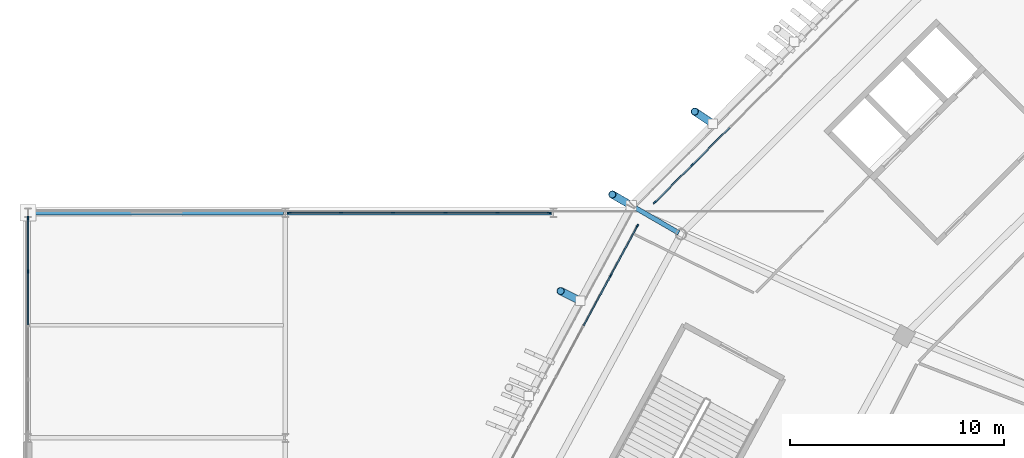
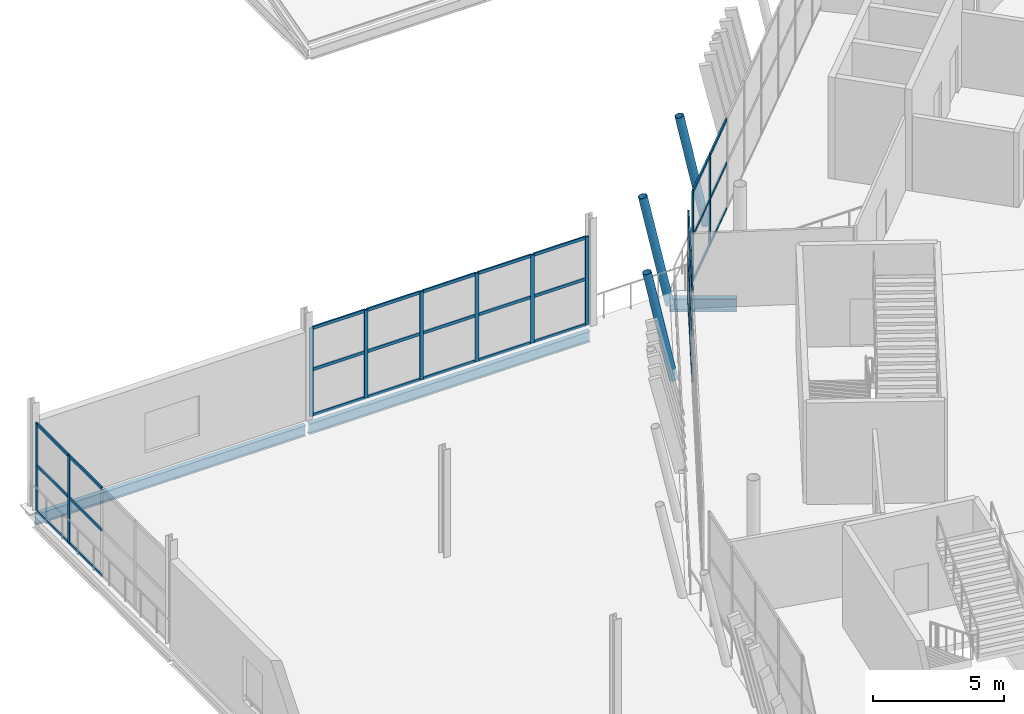
# One storey, part 45 of 179: 48 members, 3 beams, 4 elements without a shape of their own.
"""IFC4 building model written with IfcOpenShell, lengths in metres."""

from ifc_helpers import new_model, si_unit, direction, frame, origin, origin_2d, place, context, subcontext, project, spatial, rectangle, hollow_circle, i_section, extrude, material, material_profile, profile_set, type_object, element, aggregate, save


model = new_model("IFC4")

# Units and contexts
model_context = context("Model", 3, precision=1e-05, world=origin(), true_north=direction((0.0, 1.0)))
body_context = subcontext(model_context, "Body", "Model", "MODEL_VIEW")
ifc_project = project(units=[si_unit("LENGTHUNIT", "METRE"), si_unit("AREAUNIT", "SQUARE_METRE"), si_unit("VOLUMEUNIT", "CUBIC_METRE"), si_unit("PLANEANGLEUNIT", "RADIAN"), si_unit("MASSUNIT", "GRAM", prefix="KILO")], contexts=[model_context])

# Site, building, storey
site_placement = place(None, origin())
site = spatial("IfcSite", under=ifc_project, at=site_placement, CompositionType="ELEMENT")
building_placement = place(site_placement, origin())
building = spatial("IfcBuilding", under=site, at=building_placement, Name="Zlatoyarsky Gate Stadium", CompositionType="ELEMENT")
storey_placement = place(building_placement, frame((0.0, 0.0, 10.60009765625)))
storey = spatial("IfcBuildingStorey", under=building, at=storey_placement, Name="L02", CompositionType="ELEMENT", Elevation=10.60009765625)

# Curtain wall, members
ifc_material_1 = material(Name="Thermally broken anodised aluminium curtain wall", Category="aluminium")
curtain_wall_type_1 = type_object("IfcCurtainWallType", Name="UNITISED HOSPITALITY GLAZING L02", PredefinedType="USERDEFINED", material=ifc_material_1)
curtain_wall_1_placement = place(storey_placement, origin())
curtain_wall_1 = element("IfcCurtainWall", 1, at=curtain_wall_1_placement, inside=storey, type_object=curtain_wall_type_1, Name="Curtain wall CW-L02-09", ObjectType="UNITISED GLAZING", PredefinedType="USERDEFINED")
ifc_material_2 = material(Name="Anodised aluminium 6063-T6", Category="aluminium")
ifc_material_profile_1 = material_profile(ifc_material_2, rectangle(XDim=0.06494140625, YDim=0.159912109375, at=origin_2d()), Name="ALU 65X160")
ifc_profile_set_1 = profile_set([ifc_material_profile_1], Name="Anodised aluminium 6063-T6")
member_type_1 = type_object("IfcMemberType", Name="ALUMINIUM MULLION 65X160", PredefinedType="MULLION", material=ifc_profile_set_1)
member_1_placement = place(storey_placement, frame((30.979736328125, 118.72216796875, 0.0), z_axis=(0.0, 0.0, 1.0), x_axis=(0.707587678066, -0.706625557031, 0.0)))
member_1 = element("IfcMember", 2, at=member_1_placement, type_object=member_type_1, Name="CW-UG2 mullion 8", PredefinedType="MULLION", context=body_context, shape_type="SweptSolid", body=[
    extrude(rectangle(XDim=0.06494140625, YDim=0.159912109375, at=origin_2d()), origin(), (0.0, 0.0, 1.0), 4.199951171875),
])
member_2_placement = place(storey_placement, frame((29.230712890625, 116.970703125, 0.0), z_axis=(0.0, 0.0, 1.0), x_axis=(0.707587678066, -0.706625557031, 0.0)))
member_2 = element("IfcMember", 3, at=member_2_placement, type_object=member_type_1, Name="CW-UG2 mullion 9", PredefinedType="MULLION", context=body_context, shape_type="SweptSolid", body=[
    extrude(rectangle(XDim=0.06494140625, YDim=0.159912109375, at=origin_2d()), origin(), (0.0, 0.0, 1.0), 4.199951171875),
])

curtain_wall_2_placement = place(storey_placement, origin())
curtain_wall_2 = element("IfcCurtainWall", 4, at=curtain_wall_2_placement, inside=storey, type_object=curtain_wall_type_1, Name="Curtain wall CW-L02-10", ObjectType="UNITISED GLAZING", PredefinedType="USERDEFINED")
member_3_placement = place(storey_placement, frame((28.424560546875, 115.88720703125, 0.0), z_axis=(0.0, 0.0, 1.0), x_axis=(0.880235853856, -0.474536449165, 0.0)))
member_3 = element("IfcMember", 5, at=member_3_placement, type_object=member_type_1, Name="CW-UG2 mullion 1", PredefinedType="MULLION", context=body_context, shape_type="SweptSolid", body=[
    extrude(rectangle(XDim=0.06494140625, YDim=0.159912109375, at=origin_2d()), origin(), (0.0, 0.0, 1.0), 4.199951171875),
])
member_4_placement = place(storey_placement, frame((27.1728515625, 113.56494140625, 0.0), z_axis=(0.0, 0.0, 1.0), x_axis=(0.880235853856, -0.474536449165, 0.0)))
member_4 = element("IfcMember", 6, at=member_4_placement, type_object=member_type_1, Name="CW-UG2 mullion 2", PredefinedType="MULLION", context=body_context, shape_type="SweptSolid", body=[
    extrude(rectangle(XDim=0.06494140625, YDim=0.159912109375, at=origin_2d()), origin(), (0.0, 0.0, 1.0), 4.199951171875),
])

curtain_wall_type_2 = type_object("IfcCurtainWallType", Name="WINTER GARDEN CONSERVATORY GLAZING", PredefinedType="USERDEFINED", material=ifc_material_1)
curtain_wall_3_placement = place(storey_placement, origin())
curtain_wall_3 = element("IfcCurtainWall", 7, at=curtain_wall_3_placement, inside=storey, type_object=curtain_wall_type_2, Name="Curtain wall CW-V4_WEST-L02-170", ObjectType="UNITISED GLAZING", PredefinedType="USERDEFINED")
member_5_placement = place(storey_placement, frame((0.0, 113.76904296875, 0.0), z_axis=(0.0, 0.0, 1.0), x_axis=(-1.0, 0.0, 0.0)))
member_5 = element("IfcMember", 8, at=member_5_placement, type_object=member_type_1, Name="CW-WG1 mullion 4", PredefinedType="MULLION", context=body_context, shape_type="SweptSolid", body=[
    extrude(rectangle(XDim=0.06494140625, YDim=0.159912109375, at=origin_2d()), origin(), (0.0, 0.0, 1.0), 4.099853515625),
])
member_6_placement = place(storey_placement, frame((0.0, 116.255615234375, 0.0), z_axis=(0.0, 0.0, 1.0), x_axis=(-1.0, 0.0, 0.0)))
member_6 = element("IfcMember", 9, at=member_6_placement, type_object=member_type_1, Name="CW-WG1 mullion 5", PredefinedType="MULLION", context=body_context, shape_type="SweptSolid", body=[
    extrude(rectangle(XDim=0.06494140625, YDim=0.159912109375, at=origin_2d()), origin(), (0.0, 0.0, 1.0), 4.099853515625),
])

curtain_wall_4_placement = place(storey_placement, origin())
curtain_wall_4 = element("IfcCurtainWall", 10, at=curtain_wall_4_placement, inside=storey, type_object=curtain_wall_type_2, Name="Curtain wall CW-V4_WEST-L02-178", ObjectType="UNITISED GLAZING", PredefinedType="USERDEFINED")
member_7_placement = place(storey_placement, frame((12.194580078125, 116.5, 0.0), z_axis=(0.0, 0.0, 1.0), x_axis=(0.0, 1.0, 0.0)))
member_7 = element("IfcMember", 11, at=member_7_placement, type_object=member_type_1, Name="CW-WG1 mullion 1", PredefinedType="MULLION", context=body_context, shape_type="SweptSolid", body=[
    extrude(rectangle(XDim=0.06494140625, YDim=0.159912109375, at=origin_2d()), origin(), (0.0, 0.0, 1.0), 4.099853515625),
])
member_8_placement = place(storey_placement, frame((14.59716796875, 116.5, 0.0), z_axis=(0.0, 0.0, 1.0), x_axis=(0.0, 1.0, 0.0)))
member_8 = element("IfcMember", 12, at=member_8_placement, type_object=member_type_1, Name="CW-WG1 mullion 2", PredefinedType="MULLION", context=body_context, shape_type="SweptSolid", body=[
    extrude(rectangle(XDim=0.06494140625, YDim=0.159912109375, at=origin_2d()), origin(), (0.0, 0.0, 1.0), 4.099853515625),
])
member_9_placement = place(storey_placement, frame((17.032470703125, 116.5, 0.0), z_axis=(0.0, 0.0, 1.0), x_axis=(0.0, 1.0, 0.0)))
member_9 = element("IfcMember", 13, at=member_9_placement, type_object=member_type_1, Name="CW-WG1 mullion 3", PredefinedType="MULLION", context=body_context, shape_type="SweptSolid", body=[
    extrude(rectangle(XDim=0.06494140625, YDim=0.159912109375, at=origin_2d()), origin(), (0.0, 0.0, 1.0), 4.099853515625),
])
member_10_placement = place(storey_placement, frame((19.467529296875, 116.5, 0.0), z_axis=(0.0, 0.0, 1.0), x_axis=(0.0, 1.0, 0.0)))
member_10 = element("IfcMember", 14, at=member_10_placement, type_object=member_type_1, Name="CW-WG1 mullion 4", PredefinedType="MULLION", context=body_context, shape_type="SweptSolid", body=[
    extrude(rectangle(XDim=0.06494140625, YDim=0.159912109375, at=origin_2d()), origin(), (0.0, 0.0, 1.0), 4.099853515625),
])
member_11_placement = place(storey_placement, frame((21.90283203125, 116.5, 0.0), z_axis=(0.0, 0.0, 1.0), x_axis=(0.0, 1.0, 0.0)))
member_11 = element("IfcMember", 15, at=member_11_placement, type_object=member_type_1, Name="CW-WG1 mullion 5", PredefinedType="MULLION", context=body_context, shape_type="SweptSolid", body=[
    extrude(rectangle(XDim=0.06494140625, YDim=0.159912109375, at=origin_2d()), origin(), (0.0, 0.0, 1.0), 4.099853515625),
])
member_12_placement = place(storey_placement, frame((24.305419921875, 116.5, 0.0), z_axis=(0.0, 0.0, 1.0), x_axis=(0.0, 1.0, 0.0)))
member_12 = element("IfcMember", 16, at=member_12_placement, type_object=member_type_1, Name="CW-WG1 mullion 6", PredefinedType="MULLION", context=body_context, shape_type="SweptSolid", body=[
    extrude(rectangle(XDim=0.06494140625, YDim=0.159912109375, at=origin_2d()), origin(), (0.0, 0.0, 1.0), 4.099853515625),
])

# Member
ifc_material_profile_2 = material_profile(ifc_material_2, rectangle(XDim=0.06494140625, YDim=0.139892578125, at=origin_2d()), Name="ALU 65X140")
ifc_profile_set_2 = profile_set([ifc_material_profile_2], Name="Anodised aluminium 6063-T6")
member_type_2 = type_object("IfcMemberType", Name="ALUMINIUM TRANSOM 65X140", PredefinedType="USERDEFINED", material=ifc_profile_set_2)
member_13_placement = place(storey_placement, frame((32.728515625, 120.473388671875, 0.032470703125), z_axis=(-0.706606811932, -0.707606397181, 0.0), x_axis=(0.707606397181, -0.706606811932, 0.0)))
member_13 = element("IfcMember", 17, at=member_13_placement, type_object=member_type_2, Name="CW-UG2 transom 7.1", ObjectType="TRANSOM", PredefinedType="USERDEFINED", context=body_context, shape_type="SweptSolid", body=[
    extrude(rectangle(XDim=0.06494140625, YDim=0.139892578125, at=origin_2d()), origin(), (0.0, 0.0, 1.0), 2.4423828125),
])

member_14_placement = place(storey_placement, frame((32.728515625, 120.473388671875, 2.14990234375), z_axis=(-0.706606811932, -0.707606397181, 0.0), x_axis=(0.707606397181, -0.706606811932, 0.0)))
member_14 = element("IfcMember", 18, at=member_14_placement, type_object=member_type_2, Name="CW-UG2 transom 7.2", ObjectType="TRANSOM", PredefinedType="USERDEFINED", context=body_context, shape_type="SweptSolid", body=[
    extrude(rectangle(XDim=0.06494140625, YDim=0.139892578125, at=origin_2d()), origin(), (0.0, 0.0, 1.0), 2.4423828125),
])

member_15_placement = place(storey_placement, frame((32.728515625, 120.473388671875, 4.16748046875), z_axis=(-0.706606811932, -0.707606397181, 0.0), x_axis=(0.707606397181, -0.706606811932, 0.0)))
member_15 = element("IfcMember", 19, at=member_15_placement, type_object=member_type_2, Name="CW-UG2 transom 7.3", ObjectType="TRANSOM", PredefinedType="USERDEFINED", context=body_context, shape_type="SweptSolid", body=[
    extrude(rectangle(XDim=0.06494140625, YDim=0.139892578125, at=origin_2d()), origin(), (0.0, 0.0, 1.0), 2.4423828125),
])

member_16_placement = place(storey_placement, frame((30.956787109375, 118.698974609375, 0.032470703125), z_axis=(-0.706701446359, -0.707511883797, 0.0), x_axis=(0.707511883797, -0.706701446359, 0.0)))
member_16 = element("IfcMember", 20, at=member_16_placement, type_object=member_type_2, Name="CW-UG2 transom 8.1", ObjectType="TRANSOM", PredefinedType="USERDEFINED", context=body_context, shape_type="SweptSolid", body=[
    extrude(rectangle(XDim=0.06494140625, YDim=0.139892578125, at=origin_2d()), origin(), (0.0, 0.0, 1.0), 2.409912109375),
])

member_17_placement = place(storey_placement, frame((30.956787109375, 118.698974609375, 2.14990234375), z_axis=(-0.706701446359, -0.707511883797, 0.0), x_axis=(0.707511883797, -0.706701446359, 0.0)))
member_17 = element("IfcMember", 21, at=member_17_placement, type_object=member_type_2, Name="CW-UG2 transom 8.2", ObjectType="TRANSOM", PredefinedType="USERDEFINED", context=body_context, shape_type="SweptSolid", body=[
    extrude(rectangle(XDim=0.06494140625, YDim=0.139892578125, at=origin_2d()), origin(), (0.0, 0.0, 1.0), 2.409912109375),
])

member_18_placement = place(storey_placement, frame((30.956787109375, 118.698974609375, 4.16748046875), z_axis=(-0.706701446359, -0.707511883797, 0.0), x_axis=(0.707511883797, -0.706701446359, 0.0)))
member_18 = element("IfcMember", 22, at=member_18_placement, type_object=member_type_2, Name="CW-UG2 transom 8.3", ObjectType="TRANSOM", PredefinedType="USERDEFINED", context=body_context, shape_type="SweptSolid", body=[
    extrude(rectangle(XDim=0.06494140625, YDim=0.139892578125, at=origin_2d()), origin(), (0.0, 0.0, 1.0), 2.409912109375),
])

aggregate(curtain_wall_1, [member_1, member_2, member_13, member_14, member_15, member_16, member_17, member_18])

member_19_placement = place(storey_placement, frame((28.4091796875, 115.8583984375, 0.032470703125), z_axis=(-0.474518480893, -0.880245540341, 0.0), x_axis=(0.880245540341, -0.474518480893, 0.0)))
member_19 = element("IfcMember", 23, at=member_19_placement, type_object=member_type_2, Name="CW-UG2 transom 1.1", ObjectType="TRANSOM", PredefinedType="USERDEFINED", context=body_context, shape_type="SweptSolid", body=[
    extrude(rectangle(XDim=0.06494140625, YDim=0.139892578125, at=origin_2d()), origin(), (0.0, 0.0, 1.0), 2.572998046875),
])

member_20_placement = place(storey_placement, frame((28.4091796875, 115.8583984375, 2.14990234375), z_axis=(-0.474518480893, -0.880245540341, 0.0), x_axis=(0.880245540341, -0.474518480893, 0.0)))
member_20 = element("IfcMember", 24, at=member_20_placement, type_object=member_type_2, Name="CW-UG2 transom 1.2", ObjectType="TRANSOM", PredefinedType="USERDEFINED", context=body_context, shape_type="SweptSolid", body=[
    extrude(rectangle(XDim=0.06494140625, YDim=0.139892578125, at=origin_2d()), origin(), (0.0, 0.0, 1.0), 2.572998046875),
])

member_21_placement = place(storey_placement, frame((28.4091796875, 115.8583984375, 4.16748046875), z_axis=(-0.474518480893, -0.880245540341, 0.0), x_axis=(0.880245540341, -0.474518480893, 0.0)))
member_21 = element("IfcMember", 25, at=member_21_placement, type_object=member_type_2, Name="CW-UG2 transom 1.3", ObjectType="TRANSOM", PredefinedType="USERDEFINED", context=body_context, shape_type="SweptSolid", body=[
    extrude(rectangle(XDim=0.06494140625, YDim=0.139892578125, at=origin_2d()), origin(), (0.0, 0.0, 1.0), 2.572998046875),
])

member_22_placement = place(storey_placement, frame((27.1572265625, 113.5361328125, 0.032470703125), z_axis=(-0.47451326859, -0.880248350145, 0.0), x_axis=(0.880248350145, -0.47451326859, 0.0)))
member_22 = element("IfcMember", 26, at=member_22_placement, type_object=member_type_2, Name="CW-UG2 transom 2.1", ObjectType="TRANSOM", PredefinedType="USERDEFINED", context=body_context, shape_type="SweptSolid", body=[
    extrude(rectangle(XDim=0.06494140625, YDim=0.139892578125, at=origin_2d()), origin(), (0.0, 0.0, 1.0), 2.60546875),
])

member_23_placement = place(storey_placement, frame((27.1572265625, 113.5361328125, 2.14990234375), z_axis=(-0.47451326859, -0.880248350145, 0.0), x_axis=(0.880248350145, -0.47451326859, 0.0)))
member_23 = element("IfcMember", 27, at=member_23_placement, type_object=member_type_2, Name="CW-UG2 transom 2.2", ObjectType="TRANSOM", PredefinedType="USERDEFINED", context=body_context, shape_type="SweptSolid", body=[
    extrude(rectangle(XDim=0.06494140625, YDim=0.139892578125, at=origin_2d()), origin(), (0.0, 0.0, 1.0), 2.60546875),
])

member_24_placement = place(storey_placement, frame((27.1572265625, 113.5361328125, 4.16748046875), z_axis=(-0.47451326859, -0.880248350145, 0.0), x_axis=(0.880248350145, -0.47451326859, 0.0)))
member_24 = element("IfcMember", 28, at=member_24_placement, type_object=member_type_2, Name="CW-UG2 transom 2.3", ObjectType="TRANSOM", PredefinedType="USERDEFINED", context=body_context, shape_type="SweptSolid", body=[
    extrude(rectangle(XDim=0.06494140625, YDim=0.139892578125, at=origin_2d()), origin(), (0.0, 0.0, 1.0), 2.60546875),
])

aggregate(curtain_wall_2, [member_3, member_4, member_19, member_20, member_21, member_22, member_23, member_24])

member_25_placement = place(storey_placement, frame((0.0, 111.282470703125, 0.032470703125), z_axis=(0.0, 1.0, 0.0), x_axis=(-1.0, 0.0, 0.0)))
member_25 = element("IfcMember", 29, at=member_25_placement, type_object=member_type_2, Name="CW-WG1 transom 3.1", ObjectType="TRANSOM", PredefinedType="USERDEFINED", context=body_context, shape_type="SweptSolid", body=[
    extrude(rectangle(XDim=0.06494140625, YDim=0.139892578125, at=origin_2d()), origin(), (0.0, 0.0, 1.0), 2.4541015625),
])

member_26_placement = place(storey_placement, frame((0.0, 111.282470703125, 2.14990234375), z_axis=(0.0, 1.0, 0.0), x_axis=(-1.0, 0.0, 0.0)))
member_26 = element("IfcMember", 30, at=member_26_placement, type_object=member_type_2, Name="CW-WG1 transom 3.2", ObjectType="TRANSOM", PredefinedType="USERDEFINED", context=body_context, shape_type="SweptSolid", body=[
    extrude(rectangle(XDim=0.06494140625, YDim=0.139892578125, at=origin_2d()), origin(), (0.0, 0.0, 1.0), 2.4541015625),
])

member_27_placement = place(storey_placement, frame((0.0, 111.282470703125, 4.0673828125), z_axis=(0.0, 1.0, 0.0), x_axis=(-1.0, 0.0, 0.0)))
member_27 = element("IfcMember", 31, at=member_27_placement, type_object=member_type_2, Name="CW-WG1 transom 3.3", ObjectType="TRANSOM", PredefinedType="USERDEFINED", context=body_context, shape_type="SweptSolid", body=[
    extrude(rectangle(XDim=0.06494140625, YDim=0.139892578125, at=origin_2d()), origin(), (0.0, 0.0, 1.0), 2.4541015625),
])

member_28_placement = place(storey_placement, frame((0.0, 113.801513671875, 0.032470703125), z_axis=(0.0, 1.0, 0.0), x_axis=(-1.0, 0.0, 0.0)))
member_28 = element("IfcMember", 32, at=member_28_placement, type_object=member_type_2, Name="CW-WG1 transom 4.1", ObjectType="TRANSOM", PredefinedType="USERDEFINED", context=body_context, shape_type="SweptSolid", body=[
    extrude(rectangle(XDim=0.06494140625, YDim=0.139892578125, at=origin_2d()), origin(), (0.0, 0.0, 1.0), 2.42138671875),
])

member_29_placement = place(storey_placement, frame((0.0, 113.801513671875, 2.14990234375), z_axis=(0.0, 1.0, 0.0), x_axis=(-1.0, 0.0, 0.0)))
member_29 = element("IfcMember", 33, at=member_29_placement, type_object=member_type_2, Name="CW-WG1 transom 4.2", ObjectType="TRANSOM", PredefinedType="USERDEFINED", context=body_context, shape_type="SweptSolid", body=[
    extrude(rectangle(XDim=0.06494140625, YDim=0.139892578125, at=origin_2d()), origin(), (0.0, 0.0, 1.0), 2.42138671875),
])

member_30_placement = place(storey_placement, frame((0.0, 113.801513671875, 4.0673828125), z_axis=(0.0, 1.0, 0.0), x_axis=(-1.0, 0.0, 0.0)))
member_30 = element("IfcMember", 34, at=member_30_placement, type_object=member_type_2, Name="CW-WG1 transom 4.3", ObjectType="TRANSOM", PredefinedType="USERDEFINED", context=body_context, shape_type="SweptSolid", body=[
    extrude(rectangle(XDim=0.06494140625, YDim=0.139892578125, at=origin_2d()), origin(), (0.0, 0.0, 1.0), 2.42138671875),
])

aggregate(curtain_wall_3, [member_5, member_6, member_25, member_26, member_27, member_28, member_29, member_30])

member_31_placement = place(storey_placement, frame((12.22705078125, 116.5, 0.032470703125), z_axis=(1.0, 0.0, 0.0), x_axis=(0.0, 1.0, 0.0)))
member_31 = element("IfcMember", 35, at=member_31_placement, type_object=member_type_2, Name="CW-WG1 transom 1.1", ObjectType="TRANSOM", PredefinedType="USERDEFINED", context=body_context, shape_type="SweptSolid", body=[
    extrude(rectangle(XDim=0.06494140625, YDim=0.139892578125, at=origin_2d()), origin(), (0.0, 0.0, 1.0), 2.337646484375),
])

member_32_placement = place(storey_placement, frame((12.22705078125, 116.5, 2.14990234375), z_axis=(1.0, 0.0, 0.0), x_axis=(0.0, 1.0, 0.0)))
member_32 = element("IfcMember", 36, at=member_32_placement, type_object=member_type_2, Name="CW-WG1 transom 1.2", ObjectType="TRANSOM", PredefinedType="USERDEFINED", context=body_context, shape_type="SweptSolid", body=[
    extrude(rectangle(XDim=0.06494140625, YDim=0.139892578125, at=origin_2d()), origin(), (0.0, 0.0, 1.0), 2.337646484375),
])

member_33_placement = place(storey_placement, frame((12.22705078125, 116.5, 4.0673828125), z_axis=(1.0, 0.0, 0.0), x_axis=(0.0, 1.0, 0.0)))
member_33 = element("IfcMember", 37, at=member_33_placement, type_object=member_type_2, Name="CW-WG1 transom 1.3", ObjectType="TRANSOM", PredefinedType="USERDEFINED", context=body_context, shape_type="SweptSolid", body=[
    extrude(rectangle(XDim=0.06494140625, YDim=0.139892578125, at=origin_2d()), origin(), (0.0, 0.0, 1.0), 2.337646484375),
])

member_34_placement = place(storey_placement, frame((14.629638671875, 116.5, 0.032470703125), z_axis=(1.0, 0.0, 0.0), x_axis=(0.0, 1.0, 0.0)))
member_34 = element("IfcMember", 38, at=member_34_placement, type_object=member_type_2, Name="CW-WG1 transom 2.1", ObjectType="TRANSOM", PredefinedType="USERDEFINED", context=body_context, shape_type="SweptSolid", body=[
    extrude(rectangle(XDim=0.06494140625, YDim=0.139892578125, at=origin_2d()), origin(), (0.0, 0.0, 1.0), 2.370361328125),
])

member_35_placement = place(storey_placement, frame((14.629638671875, 116.5, 2.14990234375), z_axis=(1.0, 0.0, 0.0), x_axis=(0.0, 1.0, 0.0)))
member_35 = element("IfcMember", 39, at=member_35_placement, type_object=member_type_2, Name="CW-WG1 transom 2.2", ObjectType="TRANSOM", PredefinedType="USERDEFINED", context=body_context, shape_type="SweptSolid", body=[
    extrude(rectangle(XDim=0.06494140625, YDim=0.139892578125, at=origin_2d()), origin(), (0.0, 0.0, 1.0), 2.370361328125),
])

member_36_placement = place(storey_placement, frame((14.629638671875, 116.5, 4.0673828125), z_axis=(1.0, 0.0, 0.0), x_axis=(0.0, 1.0, 0.0)))
member_36 = element("IfcMember", 40, at=member_36_placement, type_object=member_type_2, Name="CW-WG1 transom 2.3", ObjectType="TRANSOM", PredefinedType="USERDEFINED", context=body_context, shape_type="SweptSolid", body=[
    extrude(rectangle(XDim=0.06494140625, YDim=0.139892578125, at=origin_2d()), origin(), (0.0, 0.0, 1.0), 2.370361328125),
])

member_37_placement = place(storey_placement, frame((17.06494140625, 116.5, 0.032470703125), z_axis=(1.0, 0.0, 0.0), x_axis=(0.0, 1.0, 0.0)))
member_37 = element("IfcMember", 41, at=member_37_placement, type_object=member_type_2, Name="CW-WG1 transom 3.1", ObjectType="TRANSOM", PredefinedType="USERDEFINED", context=body_context, shape_type="SweptSolid", body=[
    extrude(rectangle(XDim=0.06494140625, YDim=0.139892578125, at=origin_2d()), origin(), (0.0, 0.0, 1.0), 2.3701171875),
])

member_38_placement = place(storey_placement, frame((17.06494140625, 116.5, 2.14990234375), z_axis=(1.0, 0.0, 0.0), x_axis=(0.0, 1.0, 0.0)))
member_38 = element("IfcMember", 42, at=member_38_placement, type_object=member_type_2, Name="CW-WG1 transom 3.2", ObjectType="TRANSOM", PredefinedType="USERDEFINED", context=body_context, shape_type="SweptSolid", body=[
    extrude(rectangle(XDim=0.06494140625, YDim=0.139892578125, at=origin_2d()), origin(), (0.0, 0.0, 1.0), 2.3701171875),
])

member_39_placement = place(storey_placement, frame((17.06494140625, 116.5, 4.0673828125), z_axis=(1.0, 0.0, 0.0), x_axis=(0.0, 1.0, 0.0)))
member_39 = element("IfcMember", 43, at=member_39_placement, type_object=member_type_2, Name="CW-WG1 transom 3.3", ObjectType="TRANSOM", PredefinedType="USERDEFINED", context=body_context, shape_type="SweptSolid", body=[
    extrude(rectangle(XDim=0.06494140625, YDim=0.139892578125, at=origin_2d()), origin(), (0.0, 0.0, 1.0), 2.3701171875),
])

member_40_placement = place(storey_placement, frame((19.5, 116.5, 0.032470703125), z_axis=(1.0, 0.0, 0.0), x_axis=(0.0, 1.0, 0.0)))
member_40 = element("IfcMember", 44, at=member_40_placement, type_object=member_type_2, Name="CW-WG1 transom 4.1", ObjectType="TRANSOM", PredefinedType="USERDEFINED", context=body_context, shape_type="SweptSolid", body=[
    extrude(rectangle(XDim=0.06494140625, YDim=0.139892578125, at=origin_2d()), origin(), (0.0, 0.0, 1.0), 2.370361328125),
])

member_41_placement = place(storey_placement, frame((19.5, 116.5, 2.14990234375), z_axis=(1.0, 0.0, 0.0), x_axis=(0.0, 1.0, 0.0)))
member_41 = element("IfcMember", 45, at=member_41_placement, type_object=member_type_2, Name="CW-WG1 transom 4.2", ObjectType="TRANSOM", PredefinedType="USERDEFINED", context=body_context, shape_type="SweptSolid", body=[
    extrude(rectangle(XDim=0.06494140625, YDim=0.139892578125, at=origin_2d()), origin(), (0.0, 0.0, 1.0), 2.370361328125),
])

member_42_placement = place(storey_placement, frame((19.5, 116.5, 4.0673828125), z_axis=(1.0, 0.0, 0.0), x_axis=(0.0, 1.0, 0.0)))
member_42 = element("IfcMember", 46, at=member_42_placement, type_object=member_type_2, Name="CW-WG1 transom 4.3", ObjectType="TRANSOM", PredefinedType="USERDEFINED", context=body_context, shape_type="SweptSolid", body=[
    extrude(rectangle(XDim=0.06494140625, YDim=0.139892578125, at=origin_2d()), origin(), (0.0, 0.0, 1.0), 2.370361328125),
])

member_43_placement = place(storey_placement, frame((21.935302734375, 116.5, 0.032470703125), z_axis=(1.0, 0.0, 0.0), x_axis=(0.0, 1.0, 0.0)))
member_43 = element("IfcMember", 47, at=member_43_placement, type_object=member_type_2, Name="CW-WG1 transom 5.1", ObjectType="TRANSOM", PredefinedType="USERDEFINED", context=body_context, shape_type="SweptSolid", body=[
    extrude(rectangle(XDim=0.06494140625, YDim=0.139892578125, at=origin_2d()), origin(), (0.0, 0.0, 1.0), 2.337646484375),
])

member_44_placement = place(storey_placement, frame((21.935302734375, 116.5, 2.14990234375), z_axis=(1.0, 0.0, 0.0), x_axis=(0.0, 1.0, 0.0)))
member_44 = element("IfcMember", 48, at=member_44_placement, type_object=member_type_2, Name="CW-WG1 transom 5.2", ObjectType="TRANSOM", PredefinedType="USERDEFINED", context=body_context, shape_type="SweptSolid", body=[
    extrude(rectangle(XDim=0.06494140625, YDim=0.139892578125, at=origin_2d()), origin(), (0.0, 0.0, 1.0), 2.337646484375),
])

member_45_placement = place(storey_placement, frame((21.935302734375, 116.5, 4.0673828125), z_axis=(1.0, 0.0, 0.0), x_axis=(0.0, 1.0, 0.0)))
member_45 = element("IfcMember", 49, at=member_45_placement, type_object=member_type_2, Name="CW-WG1 transom 5.3", ObjectType="TRANSOM", PredefinedType="USERDEFINED", context=body_context, shape_type="SweptSolid", body=[
    extrude(rectangle(XDim=0.06494140625, YDim=0.139892578125, at=origin_2d()), origin(), (0.0, 0.0, 1.0), 2.337646484375),
])

aggregate(curtain_wall_4, [member_7, member_8, member_9, member_10, member_11, member_12, member_31, member_32, member_33, member_34, member_35, member_36, member_37, member_38, member_39, member_40, member_41, member_42, member_43, member_44, member_45])

# Beams
ifc_material_3 = material(Name="Steel S355", Category="steel")
ifc_material_profile_3 = material_profile(ifc_material_3, i_section(OverallWidth=0.219970703125, OverallDepth=0.60009765625, WebThickness=0.011962890625, FlangeThickness=0.01904296875, FilletRadius=0.02392578125, at=origin_2d()), Name="IPE 600")
ifc_profile_set_3 = profile_set([ifc_material_profile_3], Name="Steel S355")
beam_type_1 = type_object("IfcBeamType", Name="STEEL CANTILEVER FLOOR BEAM IPE 600", PredefinedType="BEAM", material=ifc_profile_set_3)
beam_1_placement = place(storey_placement, frame((30.355712890625, 115.56005859375, -0.580078125), z_axis=(-0.866059933153, 0.49994018861, 0.0), x_axis=(-0.49994018861, -0.866059933153, 0.0)))
element("IfcBeam", 50, at=beam_1_placement, inside=storey, type_object=beam_type_1, Name="Beam B-IPE600 BM-L02-OUT-10", PredefinedType="BEAM", context=body_context, shape_type="SweptSolid", body=[
    extrude(i_section(OverallWidth=0.219970703125, OverallDepth=0.60009765625, WebThickness=0.011962890625, FlangeThickness=0.01904296875, FilletRadius=0.02392578125, at=origin_2d()), origin(), (0.0, 0.0, 1.0), 2.555908203125),
])
ifc_material_profile_4 = material_profile(ifc_material_3, i_section(OverallWidth=0.199951171875, OverallDepth=0.5, WebThickness=0.01025390625, FlangeThickness=0.01611328125, FilletRadius=0.02099609375, at=origin_2d()), Name="IPE 500")
ifc_profile_set_4 = profile_set([ifc_material_profile_4], Name="Steel S355")
beam_type_2 = type_object("IfcBeamType", Name="STEEL FLOOR BEAM IPE 500", PredefinedType="BEAM", material=ifc_profile_set_4)
beam_2_placement = place(storey_placement, frame((0.080078125, 116.5, -0.530029296875), z_axis=(1.0, 0.0, 0.0), x_axis=(0.0, 1.0, 0.0)))
element("IfcBeam", 51, at=beam_2_placement, inside=storey, type_object=beam_type_2, Name="Beam B-IPE500 BM-L02-WGX-1-L", PredefinedType="BEAM", context=body_context, shape_type="SweptSolid", body=[
    extrude(i_section(OverallWidth=0.199951171875, OverallDepth=0.5, WebThickness=0.01025390625, FlangeThickness=0.01611328125, FilletRadius=0.02099609375, at=origin_2d()), origin(), (0.0, 0.0, 1.0), 11.83984375),
])
beam_3_placement = place(storey_placement, frame((12.080078125, 116.5, -0.530029296875), z_axis=(1.0, 0.0, 0.0), x_axis=(0.0, 1.0, 0.0)))
element("IfcBeam", 52, at=beam_3_placement, inside=storey, type_object=beam_type_2, Name="Beam B-IPE500 BM-L02-WGX-2-L", PredefinedType="BEAM", context=body_context, shape_type="SweptSolid", body=[
    extrude(i_section(OverallWidth=0.199951171875, OverallDepth=0.5, WebThickness=0.01025390625, FlangeThickness=0.01611328125, FilletRadius=0.02099609375, at=origin_2d()), origin(), (0.0, 0.0, 1.0), 12.33984375),
])

# Members
ifc_material_profile_5 = material_profile(ifc_material_3, hollow_circle(Radius=0.177734375, WallThickness=0.02001953125, at=origin_2d()), Name="CHS 355.6X20")
ifc_profile_set_5 = profile_set([ifc_material_profile_5], Name="Steel S355")
member_type_3 = type_object("IfcMemberType", Name="STEEL LEANING RIB RING STRUT CHS 355.6X20", PredefinedType="STRUT", material=ifc_profile_set_5)
member_46_placement = place(storey_placement, frame((28.14208984375, 116.837890625, -0.580078125), z_axis=(-0.174105212387, 0.100540977043, 0.97958097519), x_axis=(-0.500079402778, -0.865979555715, 0.0)))
element("IfcMember", 53, at=member_46_placement, inside=storey, type_object=member_type_3, Name="Leaning ring strut 10 L02 to L03", PredefinedType="STRUT", context=body_context, shape_type="SweptSolid", body=[
    extrude(hollow_circle(Radius=0.177734375, WallThickness=0.02001953125, at=origin_2d()), origin(), (0.0, 0.0, 1.0), 5.104248046875),
])
for number, where, z_axis, x_axis, name in (
    (54, (31.943359375, 120.652587890625, -0.530029296875), (-0.166206497917, 0.110995703848, 0.979824144312), (-0.555362920217, -0.831608096911, 0.0), "Outward-leaning bowl louvre fin rib L02 09-3"),
    (55, (25.752685546875, 112.3955078125, -0.530029296875), (-0.179219737902, 0.088461637848, 0.979823874059), (-0.442611615959, -0.896713419894, 0.0), "Outward-leaning bowl louvre fin rib L02 10-1"),
):
    element("IfcMember", number, at=place(storey_placement, frame(where, z_axis=z_axis, x_axis=x_axis)), inside=storey, type_object=member_type_3, Name=name, PredefinedType="STRUT", context=body_context, shape_type="SweptSolid", body=[
        extrude(hollow_circle(Radius=0.177734375, WallThickness=0.02001953125, at=origin_2d()), origin(), (0.0, 0.0, 1.0), 5.10302734375),
    ])

save(model, "model.ifc")
